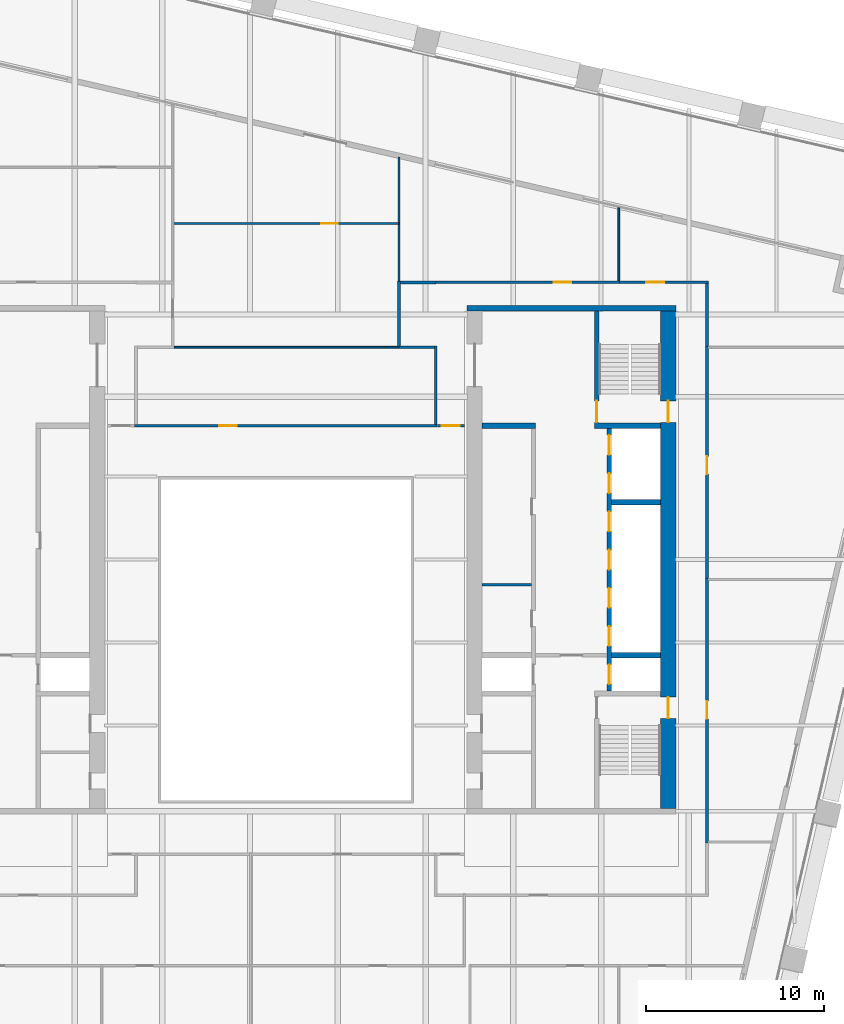
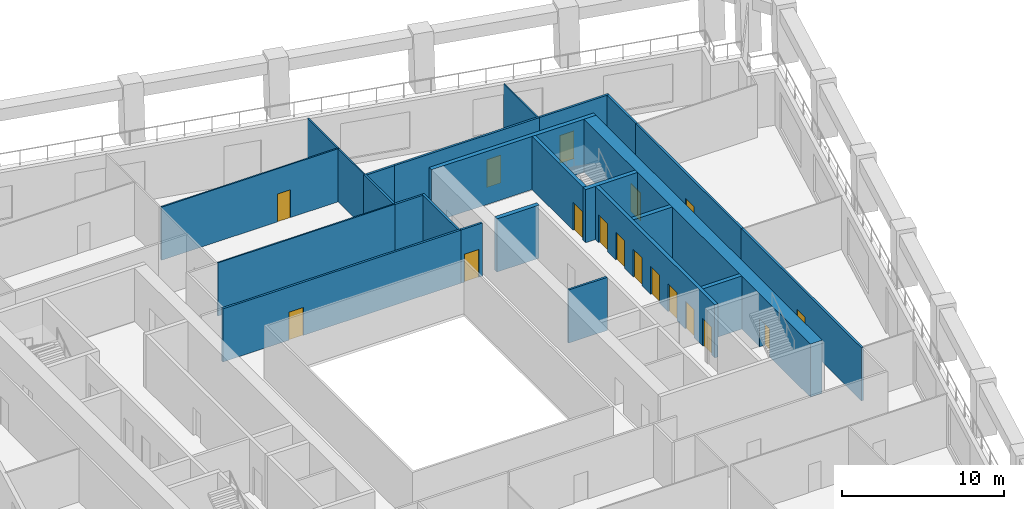
# One storey, part 7 of 10: 25 walls, 17 doors, 17 openings.
"""IFC4 building model written with IfcOpenShell, lengths in metres."""

from ifc_helpers import new_model, si_unit, direction, frame, frame_2d, origin, place, context, subcontext, project, spatial, rectangle, extrude, material, layer, layer_set, type_object, element, fill, save


model = new_model("IFC4")

# Units and contexts
model_context = context("Model", 3, precision=1e-05, world=origin(), true_north=direction((0.0, 1.0)))
body_context = subcontext(model_context, "Body", "Model", "MODEL_VIEW")
ifc_project = project(units=[si_unit("LENGTHUNIT", "METRE"), si_unit("AREAUNIT", "SQUARE_METRE"), si_unit("VOLUMEUNIT", "CUBIC_METRE"), si_unit("PLANEANGLEUNIT", "RADIAN"), si_unit("MASSUNIT", "GRAM", prefix="KILO")], contexts=[model_context])

# Site, building, storey
site_placement = place(None, origin())
site = spatial("IfcSite", under=ifc_project, at=site_placement, CompositionType="ELEMENT")
building_placement = place(site_placement, origin())
building = spatial("IfcBuilding", under=site, at=building_placement, Name="Ogive Exchange Tower", CompositionType="ELEMENT")
storey_placement = place(building_placement, frame((0.0, 0.0, 143.39990234375)))
storey = spatial("IfcBuildingStorey", under=building, at=storey_placement, Name="L31", CompositionType="ELEMENT", Elevation=143.39990234375)

# Walls
ifc_material_1 = material(Name="Gypsum board partition")
ifc_layer_1 = layer(ifc_material_1, 0.14990234375)
ifc_layer_set_1 = layer_set([ifc_layer_1], Name="Core room partition 150 gypsum")
wall_type_1 = type_object("IfcWallType", Name="Core room partition 150 gypsum", PredefinedType="PARTITIONING", material=ifc_layer_set_1)
wall_1_placement = place(storey_placement, frame((11.0, 10.10009765625, 0.0), z_axis=(0.0, 0.0, 1.0), x_axis=(1.0, 0.0, 0.0)))
element("IfcWall", 1, at=wall_1_placement, inside=storey, type_object=wall_type_1, Name="E row B bay partition 1-1", PredefinedType="PARTITIONING", context=body_context, shape_type="SweptSolid", body=[
    extrude(rectangle(XDim=2.75, YDim=0.14990234375, at=frame_2d((1.375, 0.0))), origin(), (0.0, 0.0, 1.0), 4.0),
])
ifc_layer_2 = layer(ifc_material_1, 0.300048828125)
ifc_layer_set_2 = layer_set([ifc_layer_2], Name="Core room partition 300 gypsum")
wall_type_2 = type_object("IfcWallType", Name="Core room partition 300 gypsum", PredefinedType="PARTITIONING", material=ifc_layer_set_2)
wall_2_placement = place(storey_placement, frame((11.0, 19.0, 0.0), z_axis=(0.0, 0.0, 1.0), x_axis=(1.0, 0.0, 0.0)))
element("IfcWall", 2, at=wall_2_placement, inside=storey, type_object=wall_type_2, Name="E row B room end wall 7", PredefinedType="PARTITIONING", context=body_context, shape_type="SweptSolid", body=[
    extrude(rectangle(XDim=3.0, YDim=0.300048828125, at=frame_2d((1.5, 0.0))), origin(), (0.0, 0.0, 1.0), 4.0),
])

# Wall, opening, door
ifc_material_2 = material(Name="Fire partition EI 60 150")
ifc_layer_3 = layer(ifc_material_2, 0.14990234375)
ifc_layer_set_3 = layer_set([ifc_layer_3], Name="Fire partition EI 60 150")
wall_type_3 = type_object("IfcWallType", Name="Fire partition EI 60 150", PredefinedType="PARTITIONING", material=ifc_layer_set_3)
wall_3_placement = place(storey_placement, frame((-8.47509765625, 19.0, 0.0), z_axis=(0.0, 0.0, 1.0), x_axis=(1.0, 0.0, 0.0)))
wall_3 = element("IfcWall", 3, at=wall_3_placement, inside=storey, type_object=wall_type_3, Name="L31-PWL-023", PredefinedType="PARTITIONING", context=body_context, shape_type="SweptSolid", body=[
    extrude(rectangle(XDim=16.9501953125, YDim=0.14990234375, at=frame_2d((8.47509765625, 0.0))), origin(), (0.0, 0.0, 1.0), 4.0),
])
opening_1_placement = place(wall_3_placement, frame((4.72509765625, 0.0, 0.0)))
opening_1 = element("IfcOpeningElement", 4, at=opening_1_placement, cuts=wall_3, Name="Opening L31-I02", PredefinedType="OPENING", context=body_context, shape_type="SweptSolid", body=[
    extrude(rectangle(XDim=1.0, YDim=2.10009765625, at=frame_2d((0.5, 1.050048828125))), frame((0.0, 0.0849609375, 0.0), z_axis=(0.0, -1.0, 0.0), x_axis=(1.0, 0.0, 0.0)), (0.0, 0.0, 1.0), 0.169921875),
])
ifc_material_3 = material(Name="Fire door FD 30S 1000 x 2100")
door_type_1 = type_object("IfcDoorType", Name="Fire door FD 30S 1000 x 2100", OperationType="NOTDEFINED", PredefinedType="DOOR", material=ifc_material_3)
door_1_placement = place(opening_1_placement, origin())
door_1 = element("IfcDoor", 5, at=door_1_placement, inside=storey, type_object=door_type_1, Name="L31-IDR-002", ObjectType="DT3", OperationType="SINGLE_SWING_LEFT", OverallHeight=2.10009765625, OverallWidth=1.0, PredefinedType="DOOR", context=body_context, shape_type="SweptSolid", body=[
    extrude(rectangle(XDim=1.0, YDim=2.10009765625, at=frame_2d((0.5, 1.050048828125))), frame((0.0, 0.02490234375, 0.0), z_axis=(0.0, -1.0, 0.0), x_axis=(1.0, 0.0, 0.0)), (0.0, 0.0, 1.0), 0.050048828125),
])
fill(opening_1, door_1)

# Walls
wall_4_placement = place(storey_placement, frame((6.340087890625, 23.4599609375, 0.0), z_axis=(0.0, 0.0, 1.0), x_axis=(0.0, 1.0, 0.0)))
element("IfcWall", 6, at=wall_4_placement, inside=storey, type_object=wall_type_3, Name="L31-PWL-037", PredefinedType="PARTITIONING", context=body_context, shape_type="SweptSolid", body=[
    extrude(rectangle(XDim=3.655029296875, YDim=0.14990234375, at=frame_2d((1.82763671875, 0.0))), origin(), (0.0, 0.0, 1.0), 4.0),
])
wall_5_placement = place(storey_placement, frame((6.4150390625, 27.0400390625, 0.0), z_axis=(0.0, 0.0, 1.0), x_axis=(1.0, 0.0, 0.0)))
element("IfcWall", 7, at=wall_5_placement, inside=storey, type_object=wall_type_3, Name="L31-PWL-039", PredefinedType="PARTITIONING", context=body_context, shape_type="SweptSolid", body=[
    extrude(rectangle(XDim=1.98486328125, YDim=0.14990234375, at=frame_2d((0.992431640625, 0.0))), origin(), (0.0, 0.0, 1.0), 4.0),
])
wall_6_placement = place(storey_placement, frame((8.39990234375, 19.074951171875, 0.0), z_axis=(0.0, 0.0, 1.0), x_axis=(0.0, 1.0, 0.0)))
element("IfcWall", 8, at=wall_6_placement, inside=storey, type_object=wall_type_3, Name="L31-PWL-043", PredefinedType="PARTITIONING", context=body_context, shape_type="SweptSolid", body=[
    extrude(rectangle(XDim=4.41015625, YDim=0.14990234375, at=frame_2d((2.205078125, 0.0))), origin(), (0.0, 0.0, 1.0), 4.0),
])
wall_7_placement = place(storey_placement, frame((8.324951171875, 23.409912109375, 0.0), z_axis=(0.0, 0.0, 1.0), x_axis=(-1.0, 0.0, 0.0)))
element("IfcWall", 9, at=wall_7_placement, inside=storey, type_object=wall_type_3, Name="L31-PWL-044", PredefinedType="PARTITIONING", context=body_context, shape_type="SweptSolid", body=[
    extrude(rectangle(XDim=1.98486328125, YDim=0.14990234375, at=frame_2d((0.992431640625, 0.0))), origin(), (0.0, 0.0, 1.0), 4.0),
])

# Wall, opening, door
wall_8_placement = place(storey_placement, frame((8.39990234375, 27.050048828125, 0.0), z_axis=(0.0, 0.0, 1.0), x_axis=(1.0, 0.0, 0.0)))
wall_8 = element("IfcWall", 10, at=wall_8_placement, inside=storey, type_object=wall_type_3, Name="L31-PWL-045", PredefinedType="PARTITIONING", context=body_context, shape_type="SweptSolid", body=[
    extrude(rectangle(XDim=10.300048828125, YDim=0.14990234375, at=frame_2d((5.14990234375, 0.0))), origin(), (0.0, 0.0, 1.0), 4.0),
])
opening_2_placement = place(wall_8_placement, frame((6.60009765625, 0.0, 0.0)))
opening_2 = element("IfcOpeningElement", 11, at=opening_2_placement, cuts=wall_8, Name="Opening L31-I05", PredefinedType="OPENING", context=body_context, shape_type="SweptSolid", body=[
    extrude(rectangle(XDim=1.0, YDim=2.10009765625, at=frame_2d((0.5, 1.050048828125))), frame((0.0, 0.0849609375, 0.0), z_axis=(0.0, -1.0, 0.0), x_axis=(1.0, 0.0, 0.0)), (0.0, 0.0, 1.0), 0.169921875),
])
door_2_placement = place(opening_2_placement, origin())
door_2 = element("IfcDoor", 12, at=door_2_placement, inside=storey, type_object=door_type_1, Name="L31-IDR-005", ObjectType="DT3", OperationType="SINGLE_SWING_LEFT", OverallHeight=2.10009765625, OverallWidth=1.0, PredefinedType="DOOR", context=body_context, shape_type="SweptSolid", body=[
    extrude(rectangle(XDim=1.0, YDim=2.10009765625, at=frame_2d((0.5, 1.050048828125))), frame((0.0, 0.02490234375, 0.0), z_axis=(0.0, -1.0, 0.0), x_axis=(1.0, 0.0, 0.0)), (0.0, 0.0, 1.0), 0.050048828125),
])
fill(opening_2, door_2)

wall_9_placement = place(storey_placement, frame((18.699951171875, 27.050048828125, 0.0), z_axis=(0.0, 0.0, 1.0), x_axis=(1.0, 0.0, 0.0)))
wall_9 = element("IfcWall", 13, at=wall_9_placement, inside=storey, type_object=wall_type_3, Name="L31-PWL-053", PredefinedType="PARTITIONING", context=body_context, shape_type="SweptSolid", body=[
    extrude(rectangle(XDim=4.97509765625, YDim=0.14990234375, at=frame_2d((2.487548828125, 0.0))), origin(), (0.0, 0.0, 1.0), 4.0),
])
opening_3_placement = place(wall_9_placement, frame((1.5, 0.0, 0.0)))
opening_3 = element("IfcOpeningElement", 14, at=opening_3_placement, cuts=wall_9, Name="Opening L31-I04", PredefinedType="OPENING", context=body_context, shape_type="SweptSolid", body=[
    extrude(rectangle(XDim=1.0, YDim=2.10009765625, at=frame_2d((0.5, 1.050048828125))), frame((0.0, 0.0849609375, 0.0), z_axis=(0.0, -1.0, 0.0), x_axis=(1.0, 0.0, 0.0)), (0.0, 0.0, 1.0), 0.169921875),
])
door_3_placement = place(opening_3_placement, origin())
door_3 = element("IfcDoor", 15, at=door_3_placement, inside=storey, type_object=door_type_1, Name="L31-IDR-004", ObjectType="DT3", OperationType="SINGLE_SWING_RIGHT", OverallHeight=2.10009765625, OverallWidth=1.0, PredefinedType="DOOR", context=body_context, shape_type="SweptSolid", body=[
    extrude(rectangle(XDim=1.0, YDim=2.10009765625, at=frame_2d((0.5, 1.050048828125))), frame((0.0, 0.02490234375, 0.0), z_axis=(0.0, -1.0, 0.0), x_axis=(1.0, 0.0, 0.0)), (0.0, 0.0, 1.0), 0.050048828125),
])
fill(opening_3, door_3)

wall_10_placement = place(storey_placement, frame((23.60009765625, 10.43994140625, 0.0), z_axis=(0.0, 0.0, 1.0), x_axis=(0.0, -1.0, 0.0)))
wall_10 = element("IfcWall", 16, at=wall_10_placement, inside=storey, type_object=wall_type_3, Name="L31-PWL-056", PredefinedType="PARTITIONING", context=body_context, shape_type="SweptSolid", body=[
    extrude(rectangle(XDim=14.81005859375, YDim=0.14990234375, at=frame_2d((7.405029296875, 0.0))), origin(), (0.0, 0.0, 1.0), 4.0),
])
opening_4_placement = place(wall_10_placement, frame((6.860107421875, 0.0, 0.0)))
opening_4 = element("IfcOpeningElement", 17, at=opening_4_placement, cuts=wall_10, Name="Opening L31-I11", PredefinedType="OPENING", context=body_context, shape_type="SweptSolid", body=[
    extrude(rectangle(XDim=1.0, YDim=2.10009765625, at=frame_2d((0.5, 1.050048828125))), frame((0.0, 0.0849609375, 0.0), z_axis=(0.0, -1.0, 0.0), x_axis=(1.0, 0.0, 0.0)), (0.0, 0.0, 1.0), 0.169921875),
])
door_4_placement = place(opening_4_placement, origin())
door_4 = element("IfcDoor", 18, at=door_4_placement, inside=storey, type_object=door_type_1, Name="L31-IDR-011", ObjectType="DT3", OperationType="SINGLE_SWING_RIGHT", OverallHeight=2.10009765625, OverallWidth=1.0, PredefinedType="DOOR", context=body_context, shape_type="SweptSolid", body=[
    extrude(rectangle(XDim=1.0, YDim=2.10009765625, at=frame_2d((0.5, 1.050048828125))), frame((0.0, 0.02490234375, 0.0), z_axis=(0.0, -1.0, 0.0), x_axis=(1.0, 0.0, 0.0)), (0.0, 0.0, 1.0), 0.050048828125),
])
fill(opening_4, door_4)

wall_11_placement = place(storey_placement, frame((23.60009765625, 23.4599609375, 0.0), z_axis=(0.0, 0.0, 1.0), x_axis=(0.0, -1.0, 0.0)))
wall_11 = element("IfcWall", 19, at=wall_11_placement, inside=storey, type_object=wall_type_3, Name="L31-PWL-057", PredefinedType="PARTITIONING", context=body_context, shape_type="SweptSolid", body=[
    extrude(rectangle(XDim=13.02001953125, YDim=0.14990234375, at=frame_2d((6.510009765625, 0.0))), origin(), (0.0, 0.0, 1.0), 4.0),
])
opening_5_placement = place(wall_11_placement, frame((6.169921875, 0.0, 0.0)))
opening_5 = element("IfcOpeningElement", 20, at=opening_5_placement, cuts=wall_11, Name="Opening L31-I03", PredefinedType="OPENING", context=body_context, shape_type="SweptSolid", body=[
    extrude(rectangle(XDim=1.0, YDim=2.10009765625, at=frame_2d((0.5, 1.050048828125))), frame((0.0, 0.0849609375, 0.0), z_axis=(0.0, -1.0, 0.0), x_axis=(1.0, 0.0, 0.0)), (0.0, 0.0, 1.0), 0.169921875),
])
door_5_placement = place(opening_5_placement, origin())
door_5 = element("IfcDoor", 21, at=door_5_placement, inside=storey, type_object=door_type_1, Name="L31-IDR-003", ObjectType="DT3", OperationType="SINGLE_SWING_LEFT", OverallHeight=2.10009765625, OverallWidth=1.0, PredefinedType="DOOR", context=body_context, shape_type="SweptSolid", body=[
    extrude(rectangle(XDim=1.0, YDim=2.10009765625, at=frame_2d((0.5, 1.050048828125))), frame((0.0, 0.02490234375, 0.0), z_axis=(0.0, -1.0, 0.0), x_axis=(1.0, 0.0, 0.0)), (0.0, 0.0, 1.0), 0.050048828125),
])
fill(opening_5, door_5)

# Wall
wall_12_placement = place(storey_placement, frame((23.60009765625, 26.97509765625, 0.0), z_axis=(0.0, 0.0, 1.0), x_axis=(0.0, -1.0, 0.0)))
element("IfcWall", 22, at=wall_12_placement, inside=storey, type_object=wall_type_3, Name="L31-PWL-059", PredefinedType="PARTITIONING", context=body_context, shape_type="SweptSolid", body=[
    extrude(rectangle(XDim=3.51513671875, YDim=0.14990234375, at=frame_2d((1.757568359375, 0.0))), origin(), (0.0, 0.0, 1.0), 4.0),
])

# Wall, opening, door
wall_13_placement = place(storey_placement, frame((8.485107421875, 19.0, 0.0), z_axis=(0.0, 0.0, 1.0), x_axis=(1.0, 0.0, 0.0)))
wall_13 = element("IfcWall", 23, at=wall_13_placement, inside=storey, type_object=wall_type_3, Name="L31-PWL-066", PredefinedType="PARTITIONING", context=body_context, shape_type="SweptSolid", body=[
    extrude(rectangle(XDim=1.514892578125, YDim=0.14990234375, at=frame_2d((0.75732421875, 0.0))), origin(), (0.0, 0.0, 1.0), 4.0),
])
opening_6_placement = place(wall_13_placement, frame((0.258056640625, 0.0, 0.0)))
opening_6 = element("IfcOpeningElement", 24, at=opening_6_placement, cuts=wall_13, Name="Opening L31-I25", PredefinedType="OPENING", context=body_context, shape_type="SweptSolid", body=[
    extrude(rectangle(XDim=1.0, YDim=2.10009765625, at=frame_2d((0.5, 1.050048828125))), frame((0.0, 0.0849609375, 0.0), z_axis=(0.0, -1.0, 0.0), x_axis=(1.0, 0.0, 0.0)), (0.0, 0.0, 1.0), 0.169921875),
])
door_6_placement = place(opening_6_placement, origin())
door_6 = element("IfcDoor", 25, at=door_6_placement, inside=storey, type_object=door_type_1, Name="L31-IDR-025", ObjectType="DT3", OperationType="SINGLE_SWING_RIGHT", OverallHeight=2.10009765625, OverallWidth=1.0, PredefinedType="DOOR", context=body_context, shape_type="SweptSolid", body=[
    extrude(rectangle(XDim=1.0, YDim=2.10009765625, at=frame_2d((0.5, 1.050048828125))), frame((0.0, 0.02490234375, 0.0), z_axis=(0.0, -1.0, 0.0), x_axis=(1.0, 0.0, 0.0)), (0.0, 0.0, 1.0), 0.050048828125),
])
fill(opening_6, door_6)

# Wall
ifc_material_4 = material(Name="Partition 100 gypsum")
ifc_layer_4 = layer(ifc_material_4, 0.10009765625)
ifc_layer_set_4 = layer_set([ifc_layer_4], Name="Partition 100 gypsum")
wall_type_4 = type_object("IfcWallType", Name="Partition 100 gypsum", PredefinedType="PARTITIONING", material=ifc_layer_set_4)
wall_14_placement = place(storey_placement, frame((-6.264892578125, 23.409912109375, 0.0), z_axis=(0.0, 0.0, 1.0), x_axis=(1.0, 0.0, 0.0)))
element("IfcWall", 26, at=wall_14_placement, inside=storey, type_object=wall_type_4, Name="L31-PWL-027", PredefinedType="PARTITIONING", context=body_context, shape_type="SweptSolid", body=[
    extrude(rectangle(XDim=12.60498046875, YDim=0.10009765625, at=frame_2d((6.302490234375, 0.0))), origin(), (0.0, 0.0, 1.0), 4.0),
])

# Wall, opening, door
wall_15_placement = place(storey_placement, frame((-6.2900390625, 30.340087890625, 0.0), z_axis=(0.0, 0.0, 1.0), x_axis=(1.0, 0.0, 0.0)))
wall_15 = element("IfcWall", 27, at=wall_15_placement, inside=storey, type_object=wall_type_4, Name="L31-PWL-031", PredefinedType="PARTITIONING", context=body_context, shape_type="SweptSolid", body=[
    extrude(rectangle(XDim=12.679931640625, YDim=0.10009765625, at=frame_2d((6.33984375, 0.0))), origin(), (0.0, 0.0, 1.0), 4.0),
])
opening_7_placement = place(wall_15_placement, frame((8.280029296875, 0.0, 0.0)))
opening_7 = element("IfcOpeningElement", 28, at=opening_7_placement, cuts=wall_15, Name="Opening L31-I07", PredefinedType="OPENING", context=body_context, shape_type="SweptSolid", body=[
    extrude(rectangle(XDim=0.89990234375, YDim=2.10009765625, at=frame_2d((0.449951171875, 1.050048828125))), frame((0.0, 0.06005859375, 0.0), z_axis=(0.0, -1.0, 0.0), x_axis=(1.0, 0.0, 0.0)), (0.0, 0.0, 1.0), 0.1201171875),
])
ifc_material_5 = material(Name="Door 900 x 2100")
door_type_2 = type_object("IfcDoorType", Name="Door 900 x 2100", OperationType="NOTDEFINED", PredefinedType="DOOR", material=ifc_material_5)
door_7_placement = place(opening_7_placement, origin())
door_7 = element("IfcDoor", 29, at=door_7_placement, inside=storey, type_object=door_type_2, Name="L31-IDR-007", ObjectType="DT1", OperationType="SINGLE_SWING_LEFT", OverallHeight=2.10009765625, OverallWidth=0.89990234375, PredefinedType="DOOR", context=body_context, shape_type="SweptSolid", body=[
    extrude(rectangle(XDim=0.89990234375, YDim=2.10009765625, at=frame_2d((0.449951171875, 1.050048828125))), frame((0.0, 0.02490234375, 0.0), z_axis=(0.0, -1.0, 0.0), x_axis=(1.0, 0.0, 0.0)), (0.0, 0.0, 1.0), 0.050048828125),
])
fill(opening_7, door_7)

# Walls
wall_16_placement = place(storey_placement, frame((6.340087890625, 27.114990234375, 0.0), z_axis=(0.0, 0.0, 1.0), x_axis=(0.0, 1.0, 0.0)))
element("IfcWall", 30, at=wall_16_placement, inside=storey, type_object=wall_type_4, Name="L31-PWL-038", PredefinedType="PARTITIONING", context=body_context, shape_type="SweptSolid", body=[
    extrude(rectangle(XDim=3.175048828125, YDim=0.10009765625, at=frame_2d((1.58740234375, 0.0))), origin(), (0.0, 0.0, 1.0), 4.0),
])
wall_17_placement = place(storey_placement, frame((6.340087890625, 30.389892578125, 0.0), z_axis=(0.0, 0.0, 1.0), x_axis=(0.0, 1.0, 0.0)))
element("IfcWall", 31, at=wall_17_placement, inside=storey, type_object=wall_type_4, Name="L31-PWL-040", PredefinedType="PARTITIONING", context=body_context, shape_type="SweptSolid", body=[
    extrude(rectangle(XDim=3.671142578125, YDim=0.10009765625, at=frame_2d((1.83544921875, 0.0))), origin(), (0.0, 0.0, 1.0), 4.0),
])
wall_18_placement = place(storey_placement, frame((18.64990234375, 27.125, 0.0), z_axis=(0.0, 0.0, 1.0), x_axis=(0.0, 1.0, 0.0)))
element("IfcWall", 32, at=wall_18_placement, inside=storey, type_object=wall_type_4, Name="L31-PWL-052", PredefinedType="PARTITIONING", context=body_context, shape_type="SweptSolid", body=[
    extrude(rectangle(XDim=4.093994140625, YDim=0.10009765625, at=frame_2d((2.046875, 0.0))), origin(), (0.0, 0.0, 1.0), 4.0),
])

# Wall, opening, door
ifc_material_6 = material(Name="Concrete C70/85", Category="concrete")
ifc_layer_5 = layer(ifc_material_6, 0.25)
ifc_layer_set_5 = layer_set([ifc_layer_5], Name="RC core wall 250 C70/85")
wall_type_5 = type_object("IfcWallType", Name="RC core wall 250 C70/85", PredefinedType="SHEAR", material=ifc_layer_set_5)
wall_19_placement = place(storey_placement, frame((17.425048828125, 19.14990234375, 0.0), z_axis=(0.0, 0.0, 1.0), x_axis=(0.0, 1.0, 0.0)))
wall_19 = element("IfcWall", 33, at=wall_19_placement, inside=storey, type_object=wall_type_5, Name="E stair N front wall", PredefinedType="SHEAR", context=body_context, shape_type="SweptSolid", body=[
    extrude(rectangle(XDim=6.300048828125, YDim=0.25, at=frame_2d((3.14990234375, 0.0))), origin(), (0.0, 0.0, 1.0), 4.0),
])
opening_8_placement = place(wall_19_placement, frame((0.050048828125, 0.0, 0.0)))
opening_8 = element("IfcOpeningElement", 34, at=opening_8_placement, cuts=wall_19, Name="Opening L31-C32", PredefinedType="OPENING", context=body_context, shape_type="SweptSolid", body=[
    extrude(rectangle(XDim=1.199951171875, YDim=2.10009765625, at=frame_2d((0.60009765625, 1.050048828125))), frame((0.0, 0.135009765625, 0.0), z_axis=(0.0, -1.0, 0.0), x_axis=(1.0, 0.0, 0.0)), (0.0, 0.0, 1.0), 0.27001953125),
])
ifc_material_7 = material(Name="Steel fire door", Category="steel")
door_type_3 = type_object("IfcDoorType", Name="Stair door FD90 1200 x 2100", OperationType="NOTDEFINED", PredefinedType="DOOR", material=ifc_material_7)
door_8_placement = place(opening_8_placement, frame((1.199951171875, 0.0, 0.0), z_axis=(0.0, 0.0, 1.0), x_axis=(-1.0, 0.0, 0.0)))
door_8 = element("IfcDoor", 35, at=door_8_placement, inside=storey, type_object=door_type_3, Name="Stair door", ObjectType="CD5", OperationType="SINGLE_SWING_LEFT", OverallHeight=2.10009765625, OverallWidth=1.199951171875, PredefinedType="DOOR", context=body_context, shape_type="SweptSolid", body=[
    extrude(rectangle(XDim=1.199951171875, YDim=2.10009765625, at=frame_2d((0.60009765625, 1.050048828125))), frame((0.0, 0.02490234375, 0.0), z_axis=(0.0, -1.0, 0.0), x_axis=(1.0, 0.0, 0.0)), (0.0, 0.0, 1.0), 0.050048828125),
])
fill(opening_8, door_8)

# Wall, openings, doors
wall_20_placement = place(storey_placement, frame((18.125, 4.14990234375, 0.0), z_axis=(0.0, 0.0, 1.0), x_axis=(0.0, 1.0, 0.0)))
wall_20 = element("IfcWall", 36, at=wall_20_placement, inside=storey, type_object=wall_type_5, Name="E row A front wall", PredefinedType="SHEAR", context=body_context, shape_type="SweptSolid", body=[
    extrude(rectangle(XDim=14.7001953125, YDim=0.25, at=frame_2d((7.35009765625, 0.0))), origin(), (0.0, 0.0, 1.0), 4.0),
])
opening_9_placement = place(wall_20_placement, frame((0.371337890625, 0.0, 0.0)))
opening_9 = element("IfcOpeningElement", 37, at=opening_9_placement, cuts=wall_20, Name="Opening L31-C18", PredefinedType="OPENING", context=body_context, shape_type="SweptSolid", body=[
    extrude(rectangle(XDim=1.10009765625, YDim=2.10009765625, at=frame_2d((0.550048828125, 1.050048828125))), frame((0.0, 0.135009765625, 0.0), z_axis=(0.0, -1.0, 0.0), x_axis=(1.0, 0.0, 0.0)), (0.0, 0.0, 1.0), 0.27001953125),
])
opening_10_placement = place(wall_20_placement, frame((2.514404296875, 0.0, 0.0)))
opening_10 = element("IfcOpeningElement", 38, at=opening_10_placement, cuts=wall_20, Name="Opening L31-C19", PredefinedType="OPENING", context=body_context, shape_type="SweptSolid", body=[
    extrude(rectangle(XDim=1.10009765625, YDim=2.10009765625, at=frame_2d((0.550048828125, 1.050048828125))), frame((0.0, 0.135009765625, 0.0), z_axis=(0.0, -1.0, 0.0), x_axis=(1.0, 0.0, 0.0)), (0.0, 0.0, 1.0), 0.27001953125),
])
opening_11_placement = place(wall_20_placement, frame((4.656982421875, 0.0, 0.0)))
opening_11 = element("IfcOpeningElement", 39, at=opening_11_placement, cuts=wall_20, Name="Opening L31-C20", PredefinedType="OPENING", context=body_context, shape_type="SweptSolid", body=[
    extrude(rectangle(XDim=1.10009765625, YDim=2.10009765625, at=frame_2d((0.550048828125, 1.050048828125))), frame((0.0, 0.135009765625, 0.0), z_axis=(0.0, -1.0, 0.0), x_axis=(1.0, 0.0, 0.0)), (0.0, 0.0, 1.0), 0.27001953125),
])
opening_12_placement = place(wall_20_placement, frame((6.800048828125, 0.0, 0.0)))
opening_12 = element("IfcOpeningElement", 40, at=opening_12_placement, cuts=wall_20, Name="Opening L31-C21", PredefinedType="OPENING", context=body_context, shape_type="SweptSolid", body=[
    extrude(rectangle(XDim=1.10009765625, YDim=2.10009765625, at=frame_2d((0.550048828125, 1.050048828125))), frame((0.0, 0.135009765625, 0.0), z_axis=(0.0, -1.0, 0.0), x_axis=(1.0, 0.0, 0.0)), (0.0, 0.0, 1.0), 0.27001953125),
])
opening_13_placement = place(wall_20_placement, frame((8.94287109375, 0.0, 0.0)))
opening_13 = element("IfcOpeningElement", 41, at=opening_13_placement, cuts=wall_20, Name="Opening L31-C22", PredefinedType="OPENING", context=body_context, shape_type="SweptSolid", body=[
    extrude(rectangle(XDim=1.10009765625, YDim=2.10009765625, at=frame_2d((0.550048828125, 1.050048828125))), frame((0.0, 0.135009765625, 0.0), z_axis=(0.0, -1.0, 0.0), x_axis=(1.0, 0.0, 0.0)), (0.0, 0.0, 1.0), 0.27001953125),
])
opening_14_placement = place(wall_20_placement, frame((11.085693359375, 0.0, 0.0)))
opening_14 = element("IfcOpeningElement", 42, at=opening_14_placement, cuts=wall_20, Name="Opening L31-C23", PredefinedType="OPENING", context=body_context, shape_type="SweptSolid", body=[
    extrude(rectangle(XDim=1.10009765625, YDim=2.10009765625, at=frame_2d((0.550048828125, 1.050048828125))), frame((0.0, 0.135009765625, 0.0), z_axis=(0.0, -1.0, 0.0), x_axis=(1.0, 0.0, 0.0)), (0.0, 0.0, 1.0), 0.27001953125),
])
opening_15_placement = place(wall_20_placement, frame((13.228515625, 0.0, 0.0)))
opening_15 = element("IfcOpeningElement", 43, at=opening_15_placement, cuts=wall_20, Name="Opening L31-C24", PredefinedType="OPENING", context=body_context, shape_type="SweptSolid", body=[
    extrude(rectangle(XDim=1.10009765625, YDim=2.10009765625, at=frame_2d((0.550048828125, 1.050048828125))), frame((0.0, 0.135009765625, 0.0), z_axis=(0.0, -1.0, 0.0), x_axis=(1.0, 0.0, 0.0)), (0.0, 0.0, 1.0), 0.27001953125),
])
ifc_material_8 = material(Name="Stainless steel", Category="steel")
door_type_4 = type_object("IfcDoorType", Name="Lift landing door FD90 1100 x 2100", OperationType="SLIDING_TO_LEFT", PredefinedType="DOOR", material=ifc_material_8)
door_9_placement = place(opening_9_placement, origin())
door_9 = element("IfcDoor", 44, at=door_9_placement, inside=storey, type_object=door_type_4, Name="Lift landing door FF2", ObjectType="LD", OperationType="SLIDING_TO_LEFT", OverallHeight=2.10009765625, OverallWidth=1.10009765625, PredefinedType="DOOR", context=body_context, shape_type="SweptSolid", body=[
    extrude(rectangle(XDim=1.10009765625, YDim=2.10009765625, at=frame_2d((0.550048828125, 1.050048828125))), frame((0.0, 0.02490234375, 0.0), z_axis=(0.0, -1.0, 0.0), x_axis=(1.0, 0.0, 0.0)), (0.0, 0.0, 1.0), 0.050048828125),
])
fill(opening_9, door_9)
door_10_placement = place(opening_10_placement, origin())
door_10 = element("IfcDoor", 45, at=door_10_placement, inside=storey, type_object=door_type_4, Name="Lift landing door E-L1", ObjectType="LD", OperationType="SLIDING_TO_LEFT", OverallHeight=2.10009765625, OverallWidth=1.10009765625, PredefinedType="DOOR", context=body_context, shape_type="SweptSolid", body=[
    extrude(rectangle(XDim=1.10009765625, YDim=2.10009765625, at=frame_2d((0.550048828125, 1.050048828125))), frame((0.0, 0.02490234375, 0.0), z_axis=(0.0, -1.0, 0.0), x_axis=(1.0, 0.0, 0.0)), (0.0, 0.0, 1.0), 0.050048828125),
])
fill(opening_10, door_10)
door_11_placement = place(opening_11_placement, origin())
door_11 = element("IfcDoor", 46, at=door_11_placement, inside=storey, type_object=door_type_4, Name="Lift landing door E-L2", ObjectType="LD", OperationType="SLIDING_TO_LEFT", OverallHeight=2.10009765625, OverallWidth=1.10009765625, PredefinedType="DOOR", context=body_context, shape_type="SweptSolid", body=[
    extrude(rectangle(XDim=1.10009765625, YDim=2.10009765625, at=frame_2d((0.550048828125, 1.050048828125))), frame((0.0, 0.02490234375, 0.0), z_axis=(0.0, -1.0, 0.0), x_axis=(1.0, 0.0, 0.0)), (0.0, 0.0, 1.0), 0.050048828125),
])
fill(opening_11, door_11)
door_12_placement = place(opening_12_placement, origin())
door_12 = element("IfcDoor", 47, at=door_12_placement, inside=storey, type_object=door_type_4, Name="Lift landing door E-L3", ObjectType="LD", OperationType="SLIDING_TO_LEFT", OverallHeight=2.10009765625, OverallWidth=1.10009765625, PredefinedType="DOOR", context=body_context, shape_type="SweptSolid", body=[
    extrude(rectangle(XDim=1.10009765625, YDim=2.10009765625, at=frame_2d((0.550048828125, 1.050048828125))), frame((0.0, 0.02490234375, 0.0), z_axis=(0.0, -1.0, 0.0), x_axis=(1.0, 0.0, 0.0)), (0.0, 0.0, 1.0), 0.050048828125),
])
fill(opening_12, door_12)
door_13_placement = place(opening_13_placement, origin())
door_13 = element("IfcDoor", 48, at=door_13_placement, inside=storey, type_object=door_type_4, Name="Lift landing door E-L4", ObjectType="LD", OperationType="SLIDING_TO_LEFT", OverallHeight=2.10009765625, OverallWidth=1.10009765625, PredefinedType="DOOR", context=body_context, shape_type="SweptSolid", body=[
    extrude(rectangle(XDim=1.10009765625, YDim=2.10009765625, at=frame_2d((0.550048828125, 1.050048828125))), frame((0.0, 0.02490234375, 0.0), z_axis=(0.0, -1.0, 0.0), x_axis=(1.0, 0.0, 0.0)), (0.0, 0.0, 1.0), 0.050048828125),
])
fill(opening_13, door_13)
door_14_placement = place(opening_14_placement, origin())
door_14 = element("IfcDoor", 49, at=door_14_placement, inside=storey, type_object=door_type_4, Name="Lift landing door E-SH1", ObjectType="LD", OperationType="SLIDING_TO_LEFT", OverallHeight=2.10009765625, OverallWidth=1.10009765625, PredefinedType="DOOR", context=body_context, shape_type="SweptSolid", body=[
    extrude(rectangle(XDim=1.10009765625, YDim=2.10009765625, at=frame_2d((0.550048828125, 1.050048828125))), frame((0.0, 0.02490234375, 0.0), z_axis=(0.0, -1.0, 0.0), x_axis=(1.0, 0.0, 0.0)), (0.0, 0.0, 1.0), 0.050048828125),
])
fill(opening_14, door_14)
door_15_placement = place(opening_15_placement, origin())
door_15 = element("IfcDoor", 50, at=door_15_placement, inside=storey, type_object=door_type_4, Name="Lift landing door E-SH2", ObjectType="LD", OperationType="SLIDING_TO_LEFT", OverallHeight=2.10009765625, OverallWidth=1.10009765625, PredefinedType="DOOR", context=body_context, shape_type="SweptSolid", body=[
    extrude(rectangle(XDim=1.10009765625, YDim=2.10009765625, at=frame_2d((0.550048828125, 1.050048828125))), frame((0.0, 0.02490234375, 0.0), z_axis=(0.0, -1.0, 0.0), x_axis=(1.0, 0.0, 0.0)), (0.0, 0.0, 1.0), 0.050048828125),
])
fill(opening_15, door_15)

# Walls
ifc_layer_6 = layer(ifc_material_6, 0.300048828125)
ifc_layer_set_6 = layer_set([ifc_layer_6], Name="RC core wall 300 C70/85")
wall_type_6 = type_object("IfcWallType", Name="RC core wall 300 C70/85", PredefinedType="SHEAR", material=ifc_layer_set_6)
wall_21_placement = place(storey_placement, frame((10.14990234375, 25.60009765625, 0.0), z_axis=(0.0, 0.0, 1.0), x_axis=(1.0, 0.0, 0.0)))
element("IfcWall", 51, at=wall_21_placement, inside=storey, type_object=wall_type_6, Name="E north end wall", PredefinedType="SHEAR", context=body_context, shape_type="SweptSolid", body=[
    extrude(rectangle(XDim=11.7001953125, YDim=0.300048828125, at=frame_2d((5.85009765625, 0.0))), origin(), (0.0, 0.0, 1.0), 4.0),
])
wall_22_placement = place(storey_placement, frame((17.300048828125, 19.0, 0.0), z_axis=(0.0, 0.0, 1.0), x_axis=(1.0, 0.0, 0.0)))
element("IfcWall", 52, at=wall_22_placement, inside=storey, type_object=wall_type_6, Name="E stair N south wall", PredefinedType="SHEAR", context=body_context, shape_type="SweptSolid", body=[
    extrude(rectangle(XDim=3.699951171875, YDim=0.300048828125, at=frame_2d((1.85009765625, 0.0))), origin(), (0.0, 0.0, 1.0), 4.0),
])
for number, where, z_axis, x_axis, name in (
    (53, (18.25, 6.142822265625, 0.0), (0.0, 0.0, 1.0), (1.0, 0.0, 0.0), "E row A divider 1"),
    (54, (18.25, 14.71435546875, 0.0), (0.0, 0.0, 1.0), (1.0, 0.0, 0.0), "E row A divider 5"),
):
    element("IfcWall", number, at=place(storey_placement, frame(where, z_axis=z_axis, x_axis=x_axis)), inside=storey, type_object=wall_type_6, Name=name, PredefinedType="SHEAR", context=body_context, shape_type="SweptSolid", body=[
        extrude(rectangle(XDim=2.75, YDim=0.300048828125, at=frame_2d((1.375, 0.0))), origin(), (0.0, 0.0, 1.0), 4.0),
    ])

# Wall, openings, doors
ifc_layer_7 = layer(ifc_material_6, 0.85009765625)
ifc_layer_set_7 = layer_set([ifc_layer_7], Name="RC core wall 850 C70/85")
wall_type_7 = type_object("IfcWallType", Name="RC core wall 850 C70/85", PredefinedType="SHEAR", material=ifc_layer_set_7)
wall_23_placement = place(storey_placement, frame((21.425048828125, -2.449951171875, 0.0), z_axis=(0.0, 0.0, 1.0), x_axis=(0.0, 1.0, 0.0)))
wall_23 = element("IfcWall", 55, at=wall_23_placement, inside=storey, type_object=wall_type_7, Name="E outer wall", PredefinedType="SHEAR", context=body_context, shape_type="SweptSolid", body=[
    extrude(rectangle(XDim=27.89990234375, YDim=0.85009765625, at=frame_2d((13.949951171875, 0.0))), origin(), (0.0, 0.0, 1.0), 4.0),
])
opening_16_placement = place(wall_23_placement, frame((5.050048828125, 0.0, 0.0)))
opening_16 = element("IfcOpeningElement", 56, at=opening_16_placement, cuts=wall_23, Name="Opening L31-C31", PredefinedType="OPENING", context=body_context, shape_type="SweptSolid", body=[
    extrude(rectangle(XDim=1.199951171875, YDim=2.10009765625, at=frame_2d((0.60009765625, 1.050048828125))), frame((0.0, 0.43505859375, 0.0), z_axis=(0.0, -1.0, 0.0), x_axis=(1.0, 0.0, 0.0)), (0.0, 0.0, 1.0), 0.8701171875),
])
opening_17_placement = place(wall_23_placement, frame((21.64990234375, 0.0, 0.0)))
opening_17 = element("IfcOpeningElement", 57, at=opening_17_placement, cuts=wall_23, Name="Opening L31-C33", PredefinedType="OPENING", context=body_context, shape_type="SweptSolid", body=[
    extrude(rectangle(XDim=1.199951171875, YDim=2.10009765625, at=frame_2d((0.60009765625, 1.050048828125))), frame((0.0, 0.43505859375, 0.0), z_axis=(0.0, -1.0, 0.0), x_axis=(1.0, 0.0, 0.0)), (0.0, 0.0, 1.0), 0.8701171875),
])
door_16_placement = place(opening_16_placement, origin())
door_16 = element("IfcDoor", 58, at=door_16_placement, inside=storey, type_object=door_type_3, Name="Stair door", ObjectType="CD5", OperationType="SINGLE_SWING_LEFT", OverallHeight=2.10009765625, OverallWidth=1.199951171875, PredefinedType="DOOR", context=body_context, shape_type="SweptSolid", body=[
    extrude(rectangle(XDim=1.199951171875, YDim=2.10009765625, at=frame_2d((0.60009765625, 1.050048828125))), frame((0.0, 0.02490234375, 0.0), z_axis=(0.0, -1.0, 0.0), x_axis=(1.0, 0.0, 0.0)), (0.0, 0.0, 1.0), 0.050048828125),
])
fill(opening_16, door_16)
door_17_placement = place(opening_17_placement, origin())
door_17 = element("IfcDoor", 59, at=door_17_placement, inside=storey, type_object=door_type_3, Name="Stair door", ObjectType="CD5", OperationType="SINGLE_SWING_RIGHT", OverallHeight=2.10009765625, OverallWidth=1.199951171875, PredefinedType="DOOR", context=body_context, shape_type="SweptSolid", body=[
    extrude(rectangle(XDim=1.199951171875, YDim=2.10009765625, at=frame_2d((0.60009765625, 1.050048828125))), frame((0.0, 0.02490234375, 0.0), z_axis=(0.0, -1.0, 0.0), x_axis=(1.0, 0.0, 0.0)), (0.0, 0.0, 1.0), 0.050048828125),
])
fill(opening_17, door_17)

save(model, "model.ifc")
